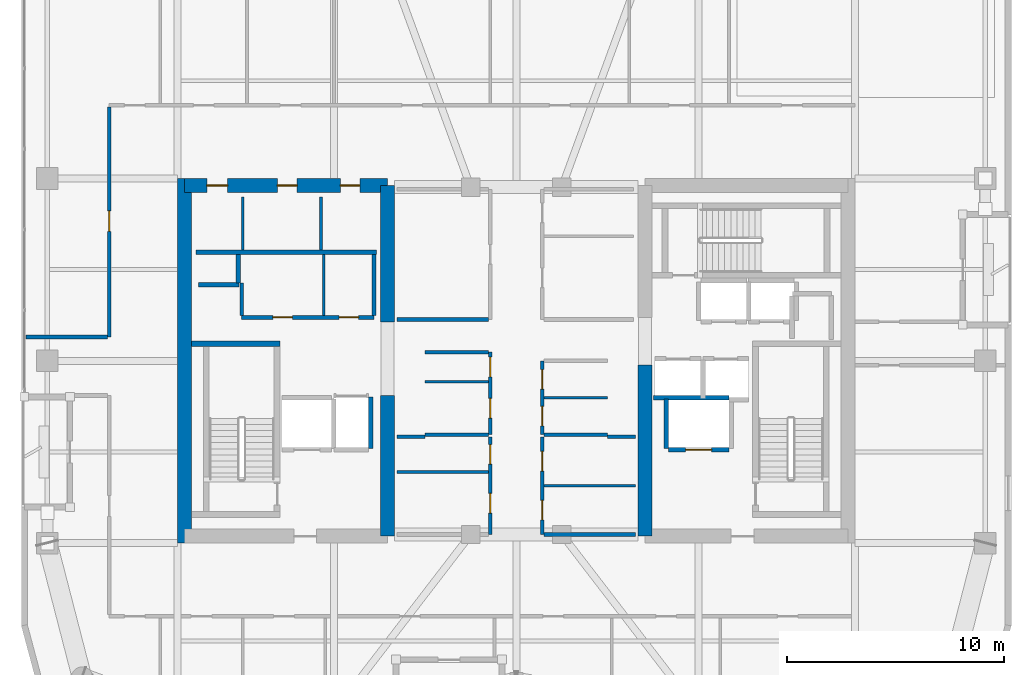
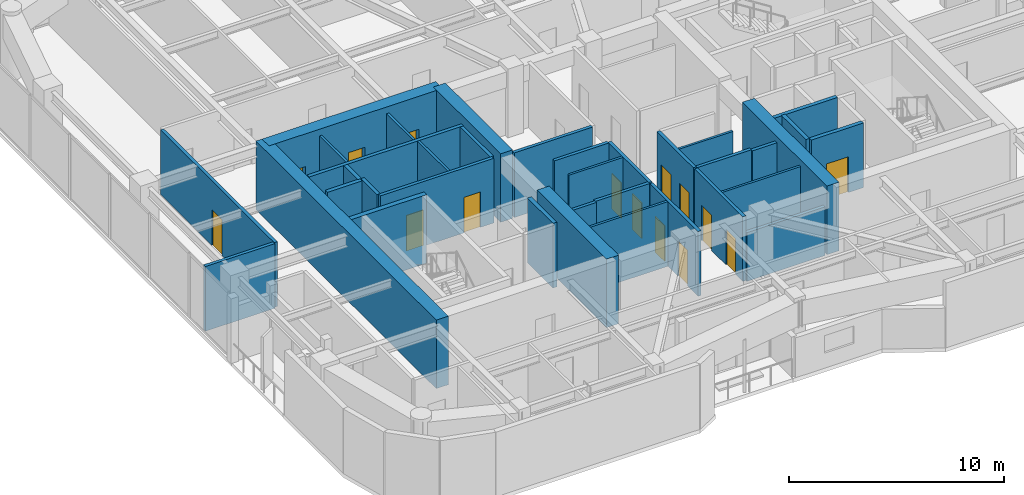
# One storey, part 16 of 22: 36 walls, 15 doors, 15 openings.
"""IFC4 building model written with IfcOpenShell, lengths in metres."""

from ifc_helpers import new_model, si_unit, direction, frame, frame_2d, origin, place, context, subcontext, project, spatial, rectangle, extrude, material, layer, layer_set, type_object, element, fill, save


model = new_model("IFC4")

# Units and contexts
model_context = context("Model", 3, precision=1e-05, world=origin(), true_north=direction((0.0, 1.0)))
body_context = subcontext(model_context, "Body", "Model", "MODEL_VIEW")
ifc_project = project(units=[si_unit("LENGTHUNIT", "METRE"), si_unit("AREAUNIT", "SQUARE_METRE"), si_unit("VOLUMEUNIT", "CUBIC_METRE"), si_unit("PLANEANGLEUNIT", "RADIAN"), si_unit("MASSUNIT", "GRAM", prefix="KILO")], contexts=[model_context])

# Site, building, storey
site_placement = place(None, origin())
site = spatial("IfcSite", under=ifc_project, at=site_placement, CompositionType="ELEMENT")
building_placement = place(site_placement, origin())
building = spatial("IfcBuilding", under=site, at=building_placement, Name="Kiyonajd Concourse Tower", CompositionType="ELEMENT")
storey_placement = place(building_placement, frame((0.0, 0.0, 243.300048828125)))
storey = spatial("IfcBuildingStorey", under=building, at=storey_placement, Name="L61", CompositionType="ELEMENT", Elevation=243.300048828125)

# Walls
ifc_material_1 = material(Name="Concrete C60/75", Category="concrete")
ifc_layer_1 = layer(ifc_material_1, 0.64990234375)
ifc_layer_set_1 = layer_set([ifc_layer_1], Name="Concrete C60/75")
wall_type_1 = type_object("IfcWallType", Name="WL-CORE-650", PredefinedType="SHEAR", material=ifc_layer_set_1)
wall_1_placement = place(storey_placement, frame((32.72509765625, 27.60009765625, 0.0), z_axis=(0.0, 0.0, 1.0), x_axis=(0.0, 1.0, 0.0)))
element("IfcWall", 1, at=wall_1_placement, inside=storey, type_object=wall_type_1, Name="L61 West Core Outer Shear Wall", PredefinedType="SHEAR", context=body_context, shape_type="SweptSolid", body=[
    extrude(rectangle(XDim=16.7998046875, YDim=0.64990234375, at=frame_2d((8.39990234375, 0.0))), origin(), (0.0, 0.0, 1.0), 3.89990234375),
])
wall_2_placement = place(storey_placement, frame((42.074951171875, 27.925048828125, 0.0), z_axis=(0.0, 0.0, 1.0), x_axis=(0.0, 1.0, 0.0)))
element("IfcWall", 2, at=wall_2_placement, inside=storey, type_object=wall_type_1, Name="L61 West Core Inner South Shear Wall", PredefinedType="SHEAR", context=body_context, shape_type="SweptSolid", body=[
    extrude(rectangle(XDim=6.474853515625, YDim=0.64990234375, at=frame_2d((3.2373046875, 0.0))), origin(), (0.0, 0.0, 1.0), 3.89990234375),
])
wall_3_placement = place(storey_placement, frame((42.074951171875, 37.800048828125, 0.0), z_axis=(0.0, 0.0, 1.0), x_axis=(0.0, 1.0, 0.0)))
element("IfcWall", 3, at=wall_3_placement, inside=storey, type_object=wall_type_1, Name="L61 West Core Inner North Shear Wall", PredefinedType="SHEAR", context=body_context, shape_type="SweptSolid", body=[
    extrude(rectangle(XDim=6.27490234375, YDim=0.64990234375, at=frame_2d((3.137451171875, 0.0))), origin(), (0.0, 0.0, 1.0), 3.89990234375),
])

# Wall, openings, doors
wall_4_placement = place(storey_placement, frame((32.72509765625, 44.074951171875, 0.0), z_axis=(0.0, 0.0, 1.0), x_axis=(1.0, 0.0, 0.0)))
wall_4 = element("IfcWall", 4, at=wall_4_placement, inside=storey, type_object=wall_type_1, Name="L61 West Core North Shear Wall", PredefinedType="SHEAR", context=body_context, shape_type="SweptSolid", body=[
    extrude(rectangle(XDim=9.349853515625, YDim=0.64990234375, at=frame_2d((4.6748046875, 0.0))), origin(), (0.0, 0.0, 1.0), 3.89990234375),
])
opening_1_placement = place(wall_4_placement, frame((1.02490234375, 0.0, 0.0)))
opening_1 = element("IfcOpeningElement", 5, at=opening_1_placement, cuts=wall_4, Name="Opening DI1", PredefinedType="OPENING", context=body_context, shape_type="SweptSolid", body=[
    extrude(rectangle(XDim=0.949951171875, YDim=2.0400390625, at=frame_2d((0.47509765625, 1.02001953125))), frame((0.0, 0.3349609375, 0.0), z_axis=(0.0, -1.0, 0.0), x_axis=(1.0, 0.0, 0.0)), (0.0, 0.0, 1.0), 0.669921875),
])
opening_2_placement = place(wall_4_placement, frame((4.27490234375, 0.0, 0.0)))
opening_2 = element("IfcOpeningElement", 6, at=opening_2_placement, cuts=wall_4, Name="Opening DI2", PredefinedType="OPENING", context=body_context, shape_type="SweptSolid", body=[
    extrude(rectangle(XDim=0.89990234375, YDim=2.02001953125, at=frame_2d((0.449951171875, 1.010009765625))), frame((0.0, 0.3349609375, 0.0), z_axis=(0.0, -1.0, 0.0), x_axis=(1.0, 0.0, 0.0)), (0.0, 0.0, 1.0), 0.669921875),
])
opening_3_placement = place(wall_4_placement, frame((7.175048828125, 0.0, 0.0)))
opening_3 = element("IfcOpeningElement", 7, at=opening_3_placement, cuts=wall_4, Name="Opening DI2", PredefinedType="OPENING", context=body_context, shape_type="SweptSolid", body=[
    extrude(rectangle(XDim=0.89990234375, YDim=2.02001953125, at=frame_2d((0.449951171875, 1.010009765625))), frame((0.0, 0.3349609375, 0.0), z_axis=(0.0, -1.0, 0.0), x_axis=(1.0, 0.0, 0.0)), (0.0, 0.0, 1.0), 0.669921875),
])
ifc_material_2 = material(Name="Natural Oak Acoustic Timber Veneer", Category="wood")
door_type_1 = type_object("IfcDoorType", Name="DR-INT-900", OperationType="NOTDEFINED", PredefinedType="DOOR", material=ifc_material_2)
door_1_placement = place(opening_2_placement, origin())
door_1 = element("IfcDoor", 8, at=door_1_placement, inside=storey, type_object=door_type_1, Name="L61 Male Restroom Door", OperationType="SINGLE_SWING_RIGHT", OverallHeight=2.02001953125, OverallWidth=0.89990234375, PredefinedType="DOOR", context=body_context, shape_type="SweptSolid", body=[
    extrude(rectangle(XDim=0.89990234375, YDim=2.02001953125, at=frame_2d((0.449951171875, 1.010009765625))), frame((0.0, 0.02490234375, 0.0), z_axis=(0.0, -1.0, 0.0), x_axis=(1.0, 0.0, 0.0)), (0.0, 0.0, 1.0), 0.050048828125),
])
fill(opening_2, door_1)
door_2_placement = place(opening_3_placement, origin())
door_2 = element("IfcDoor", 9, at=door_2_placement, inside=storey, type_object=door_type_1, Name="L61 Female Restroom Door", OperationType="SINGLE_SWING_LEFT", OverallHeight=2.02001953125, OverallWidth=0.89990234375, PredefinedType="DOOR", context=body_context, shape_type="SweptSolid", body=[
    extrude(rectangle(XDim=0.89990234375, YDim=2.02001953125, at=frame_2d((0.449951171875, 1.010009765625))), frame((0.0, 0.02490234375, 0.0), z_axis=(0.0, -1.0, 0.0), x_axis=(1.0, 0.0, 0.0)), (0.0, 0.0, 1.0), 0.050048828125),
])
fill(opening_3, door_2)
door_type_2 = type_object("IfcDoorType", Name="DR-INT-950", OperationType="NOTDEFINED", PredefinedType="DOOR", material=ifc_material_2)
door_3_placement = place(opening_1_placement, origin())
door_3 = element("IfcDoor", 10, at=door_3_placement, inside=storey, type_object=door_type_2, Name="L61 Single User Accessible WC Door", OperationType="SINGLE_SWING_LEFT", OverallHeight=2.0400390625, OverallWidth=0.949951171875, PredefinedType="DOOR", context=body_context, shape_type="SweptSolid", body=[
    extrude(rectangle(XDim=0.949951171875, YDim=2.0400390625, at=frame_2d((0.47509765625, 1.02001953125))), frame((0.0, 0.02490234375, 0.0), z_axis=(0.0, -1.0, 0.0), x_axis=(1.0, 0.0, 0.0)), (0.0, 0.0, 1.0), 0.050048828125),
])
fill(opening_1, door_3)

# Walls
wall_5_placement = place(storey_placement, frame((53.925048828125, 27.925048828125, 0.0), z_axis=(0.0, 0.0, 1.0), x_axis=(0.0, 1.0, 0.0)))
element("IfcWall", 11, at=wall_5_placement, inside=storey, type_object=wall_type_1, Name="L61 East Core Inner South Shear Wall", PredefinedType="SHEAR", context=body_context, shape_type="SweptSolid", body=[
    extrude(rectangle(XDim=7.875, YDim=0.64990234375, at=frame_2d((3.9375, 0.0))), origin(), (0.0, 0.0, 1.0), 3.89990234375),
])
ifc_material_3 = material(Name="Gypsum Board on Cold-Formed Steel Stud", Category="steel")
ifc_layer_2 = layer(ifc_material_3, 0.125)
ifc_layer_set_2 = layer_set([ifc_layer_2], Name="Gypsum Board on Cold-Formed Steel Stud")
wall_type_2 = type_object("IfcWallType", Name="WL-PART-125", PredefinedType="PARTITIONING", material=ifc_layer_set_2)
for number, where, z_axis, x_axis, name in (
    (12, (35.39990234375, 41.094970703125, 0.0), (0.0, 0.0, 1.0), (0.0, 1.0, 0.0), "L61 Interior Partition Wall"),
    (13, (39.0, 41.094970703125, 0.0), (0.0, 0.0, 1.0), (0.0, 1.0, 0.0), "L61 Interior Partition Wall"),
):
    element("IfcWall", number, at=place(storey_placement, frame(where, z_axis=z_axis, x_axis=x_axis)), inside=storey, type_object=wall_type_2, Name=name, PredefinedType="PARTITIONING", context=body_context, shape_type="SweptSolid", body=[
        extrude(rectangle(XDim=2.455078125, YDim=0.125, at=frame_2d((1.2275390625, 0.0))), origin(), (0.0, 0.0, 1.0), 3.679931640625),
    ])
wall_6_placement = place(storey_placement, frame((39.132080078125, 38.0869140625, 0.0), z_axis=(0.0, 0.0, 1.0), x_axis=(0.0, 1.0, 0.0)))
element("IfcWall", 14, at=wall_6_placement, inside=storey, type_object=wall_type_2, Name="L61 Interior Partition Wall", PredefinedType="PARTITIONING", context=body_context, shape_type="SweptSolid", body=[
    extrude(rectangle(XDim=2.81298828125, YDim=0.125, at=frame_2d((1.406494140625, 0.0))), origin(), (0.0, 0.0, 1.0), 3.679931640625),
])
for number, where, z_axis, x_axis, name in (
    (15, (43.800048828125, 35.031982421875, 0.0), (0.0, 0.0, 1.0), (1.0, 0.0, 0.0), "L61 Interior Partition Wall"),
    (16, (49.287109375, 34.300048828125, 0.0), (0.0, 0.0, 1.0), (1.0, 0.0, 0.0), "L61 Interior Partition Wall"),
):
    element("IfcWall", number, at=place(storey_placement, frame(where, z_axis=z_axis, x_axis=x_axis)), inside=storey, type_object=wall_type_2, Name=name, PredefinedType="PARTITIONING", context=body_context, shape_type="SweptSolid", body=[
        extrude(rectangle(XDim=2.912841796875, YDim=0.125, at=frame_2d((1.45654296875, 0.0))), origin(), (0.0, 0.0, 1.0), 3.679931640625),
    ])
for number, where, z_axis, x_axis, name in (
    (17, (42.5, 30.8798828125, 0.0), (0.0, 0.0, 1.0), (1.0, 0.0, 0.0), "L61 Interior Partition Wall"),
    (18, (49.287109375, 30.25, 0.0), (0.0, 0.0, 1.0), (1.0, 0.0, 0.0), "L61 Interior Partition Wall"),
):
    element("IfcWall", number, at=place(storey_placement, frame(where, z_axis=z_axis, x_axis=x_axis)), inside=storey, type_object=wall_type_2, Name=name, PredefinedType="PARTITIONING", context=body_context, shape_type="SweptSolid", body=[
        extrude(rectangle(XDim=4.212890625, YDim=0.125, at=frame_2d((2.1064453125, 0.0))), origin(), (0.0, 0.0, 1.0), 3.679931640625),
    ])
ifc_layer_3 = layer(ifc_material_3, 0.18994140625)
ifc_layer_set_3 = layer_set([ifc_layer_3], Name="Gypsum Board on Cold-Formed Steel Stud")
wall_type_3 = type_object("IfcWallType", Name="WL-PLMB-190", PredefinedType="PLUMBINGWALL", material=ifc_layer_set_3)
wall_7_placement = place(storey_placement, frame((33.25, 41.0, 0.0), z_axis=(0.0, 0.0, 1.0), x_axis=(1.0, 0.0, 0.0)))
element("IfcWall", 19, at=wall_7_placement, inside=storey, type_object=wall_type_3, Name="L61 Interior Partition Wall", PredefinedType="PLUMBINGWALL", context=body_context, shape_type="SweptSolid", body=[
    extrude(rectangle(XDim=8.300048828125, YDim=0.18994140625, at=frame_2d((4.14990234375, 0.0))), origin(), (0.0, 0.0, 1.0), 3.679931640625),
])
ifc_layer_4 = layer(ifc_material_3, 0.2099609375)
ifc_layer_set_4 = layer_set([ifc_layer_4], Name="Gypsum Board on Cold-Formed Steel Stud")
wall_type_4 = type_object("IfcWallType", Name="WL-SHAFT-210", PredefinedType="PARTITIONING", material=ifc_layer_set_4)
wall_8_placement = place(storey_placement, frame((33.360107421875, 39.5, 0.0), z_axis=(0.0, 0.0, 1.0), x_axis=(1.0, 0.0, 0.0)))
element("IfcWall", 20, at=wall_8_placement, inside=storey, type_object=wall_type_4, Name="L61 Shaft Enclosure Wall", PredefinedType="PARTITIONING", context=body_context, shape_type="SweptSolid", body=[
    extrude(rectangle(XDim=1.85986328125, YDim=0.2099609375, at=frame_2d((0.929931640625, 0.0))), origin(), (0.0, 0.0, 1.0), 3.679931640625),
])
wall_9_placement = place(storey_placement, frame((35.199951171875, 39.580078125, 0.0), z_axis=(0.0, 0.0, 1.0), x_axis=(0.0, 1.0, 0.0)))
element("IfcWall", 21, at=wall_9_placement, inside=storey, type_object=wall_type_4, Name="L61 Shaft Enclosure Wall", PredefinedType="PARTITIONING", context=body_context, shape_type="SweptSolid", body=[
    extrude(rectangle(XDim=1.31982421875, YDim=0.2099609375, at=frame_2d((0.659912109375, 0.0))), origin(), (0.0, 0.0, 1.0), 3.679931640625),
])

# Wall, opening, door
wall_10_placement = place(storey_placement, frame((55.0, 31.89990234375, 0.0), z_axis=(0.0, 0.0, 1.0), x_axis=(1.0, 0.0, 0.0)))
wall_10 = element("IfcWall", 22, at=wall_10_placement, inside=storey, type_object=wall_type_4, Name="L61 Shaft Enclosure Wall", PredefinedType="PARTITIONING", context=body_context, shape_type="SweptSolid", body=[
    extrude(rectangle(XDim=2.800048828125, YDim=0.2099609375, at=frame_2d((1.39990234375, 0.0))), origin(), (0.0, 0.0, 1.0), 3.679931640625),
])
opening_4_placement = place(wall_10_placement, frame((0.800048828125, 0.0, 0.0)))
opening_4 = element("IfcOpeningElement", 23, at=opening_4_placement, cuts=wall_10, Name="Opening LD2", PredefinedType="OPENING", context=body_context, shape_type="SweptSolid", body=[
    extrude(rectangle(XDim=1.199951171875, YDim=2.0400390625, at=frame_2d((0.60009765625, 1.02001953125))), frame((0.0, 0.114990234375, 0.0), z_axis=(0.0, -1.0, 0.0), x_axis=(1.0, 0.0, 0.0)), (0.0, 0.0, 1.0), 0.22998046875),
])
ifc_material_4 = material(Name="Brushed Stainless Steel Cab Assembly", Category="steel")
door_type_3 = type_object("IfcDoorType", Name="DR-LD-1200", OperationType="DOUBLE_DOOR_SLIDING", PredefinedType="DOOR", material=ifc_material_4)
door_4_placement = place(opening_4_placement, origin())
door_4 = element("IfcDoor", 24, at=door_4_placement, inside=storey, type_object=door_type_3, Name="L61 Lift FFL2 Sliding Landing Door", OperationType="DOUBLE_DOOR_SLIDING", OverallHeight=2.0400390625, OverallWidth=1.199951171875, PredefinedType="DOOR", context=body_context, shape_type="SweptSolid", body=[
    extrude(rectangle(XDim=1.199951171875, YDim=2.0400390625, at=frame_2d((0.60009765625, 1.02001953125))), frame((0.0, 0.02490234375, 0.0), z_axis=(0.0, -1.0, 0.0), x_axis=(1.0, 0.0, 0.0)), (0.0, 0.0, 1.0), 0.050048828125),
])
fill(opening_4, door_4)

# Walls
wall_11_placement = place(storey_placement, frame((54.320068359375, 34.300048828125, 0.0), z_axis=(0.0, 0.0, 1.0), x_axis=(1.0, 0.0, 0.0)))
element("IfcWall", 25, at=wall_11_placement, inside=storey, type_object=wall_type_4, Name="L61 Shaft Enclosure Wall", PredefinedType="PARTITIONING", context=body_context, shape_type="SweptSolid", body=[
    extrude(rectangle(XDim=3.47998046875, YDim=0.2099609375, at=frame_2d((1.739990234375, 0.0))), origin(), (0.0, 0.0, 1.0), 3.679931640625),
])
wall_12_placement = place(storey_placement, frame((54.89990234375, 31.9599609375, 0.0), z_axis=(0.0, 0.0, 1.0), x_axis=(0.0, 1.0, 0.0)))
element("IfcWall", 26, at=wall_12_placement, inside=storey, type_object=wall_type_4, Name="L61 Shaft Enclosure Wall", PredefinedType="PARTITIONING", context=body_context, shape_type="SweptSolid", body=[
    extrude(rectangle(XDim=2.280029296875, YDim=0.2099609375, at=frame_2d((1.14013671875, 0.0))), origin(), (0.0, 0.0, 1.0), 3.679931640625),
])
wall_13_placement = place(storey_placement, frame((41.300048828125, 31.9599609375, 0.0), z_axis=(0.0, 0.0, 1.0), x_axis=(0.0, 1.0, 0.0)))
element("IfcWall", 27, at=wall_13_placement, inside=storey, type_object=wall_type_4, Name="L61 Shaft Enclosure Wall", PredefinedType="PARTITIONING", context=body_context, shape_type="SweptSolid", body=[
    extrude(rectangle(XDim=2.380126953125, YDim=0.2099609375, at=frame_2d((1.18994140625, 0.0))), origin(), (0.0, 0.0, 1.0), 3.679931640625),
])

# Wall, openings, doors
ifc_layer_5 = layer(ifc_material_3, 0.169921875)
ifc_layer_set_5 = layer_set([ifc_layer_5], Name="Gypsum Board on Cold-Formed Steel Stud")
wall_type_5 = type_object("IfcWallType", Name="WL-SMK-170", PredefinedType="PARTITIONING", material=ifc_layer_set_5)
wall_14_placement = place(storey_placement, frame((35.35009765625, 38.0, 0.0), z_axis=(0.0, 0.0, 1.0), x_axis=(1.0, 0.0, 0.0)))
wall_14 = element("IfcWall", 28, at=wall_14_placement, inside=storey, type_object=wall_type_5, Name="L61 Interior Partition Wall", PredefinedType="PARTITIONING", context=body_context, shape_type="SweptSolid", body=[
    extrude(rectangle(XDim=6.099853515625, YDim=0.169921875, at=frame_2d((3.0498046875, 0.0))), origin(), (0.0, 0.0, 1.0), 3.679931640625),
])
opening_5_placement = place(wall_14_placement, frame((1.44091796875, 0.0, 0.0)))
opening_5 = element("IfcOpeningElement", 29, at=opening_5_placement, cuts=wall_14, Name="Opening DF4", PredefinedType="OPENING", context=body_context, shape_type="SweptSolid", body=[
    extrude(rectangle(XDim=0.89990234375, YDim=2.02001953125, at=frame_2d((0.449951171875, 1.010009765625))), frame((0.0, 0.094970703125, 0.0), z_axis=(0.0, -1.0, 0.0), x_axis=(1.0, 0.0, 0.0)), (0.0, 0.0, 1.0), 0.18994140625),
])
opening_6_placement = place(wall_14_placement, frame((4.490966796875, 0.0, 0.0)))
opening_6 = element("IfcOpeningElement", 30, at=opening_6_placement, cuts=wall_14, Name="Opening DF4", PredefinedType="OPENING", context=body_context, shape_type="SweptSolid", body=[
    extrude(rectangle(XDim=0.89990234375, YDim=2.02001953125, at=frame_2d((0.449951171875, 1.010009765625))), frame((0.0, 0.094970703125, 0.0), z_axis=(0.0, -1.0, 0.0), x_axis=(1.0, 0.0, 0.0)), (0.0, 0.0, 1.0), 0.18994140625),
])
door_type_4 = type_object("IfcDoorType", Name="DR-FD60-900", OperationType="NOTDEFINED", PredefinedType="DOOR", material=ifc_material_4)
door_5_placement = place(opening_5_placement, origin())
door_5 = element("IfcDoor", 31, at=door_5_placement, inside=storey, type_object=door_type_4, Name="L61 Interior Door", OperationType="SINGLE_SWING_RIGHT", OverallHeight=2.02001953125, OverallWidth=0.89990234375, PredefinedType="DOOR", context=body_context, shape_type="SweptSolid", body=[
    extrude(rectangle(XDim=0.89990234375, YDim=2.02001953125, at=frame_2d((0.449951171875, 1.010009765625))), frame((0.0, 0.02490234375, 0.0), z_axis=(0.0, -1.0, 0.0), x_axis=(1.0, 0.0, 0.0)), (0.0, 0.0, 1.0), 0.050048828125),
])
fill(opening_5, door_5)
door_6_placement = place(opening_6_placement, origin())
door_6 = element("IfcDoor", 32, at=door_6_placement, inside=storey, type_object=door_type_4, Name="L61 Interior Door", OperationType="SINGLE_SWING_LEFT", OverallHeight=2.02001953125, OverallWidth=0.89990234375, PredefinedType="DOOR", context=body_context, shape_type="SweptSolid", body=[
    extrude(rectangle(XDim=0.89990234375, YDim=2.02001953125, at=frame_2d((0.449951171875, 1.010009765625))), frame((0.0, 0.02490234375, 0.0), z_axis=(0.0, -1.0, 0.0), x_axis=(1.0, 0.0, 0.0)), (0.0, 0.0, 1.0), 0.050048828125),
])
fill(opening_6, door_6)

# Walls
wall_15_placement = place(storey_placement, frame((35.35009765625, 38.0869140625, 0.0), z_axis=(0.0, 0.0, 1.0), x_axis=(0.0, 1.0, 0.0)))
element("IfcWall", 33, at=wall_15_placement, inside=storey, type_object=wall_type_5, Name="L61 Interior Partition Wall", PredefinedType="PARTITIONING", context=body_context, shape_type="SweptSolid", body=[
    extrude(rectangle(XDim=1.4931640625, YDim=0.169921875, at=frame_2d((0.74658203125, 0.0))), origin(), (0.0, 0.0, 1.0), 3.679931640625),
])
wall_16_placement = place(storey_placement, frame((41.449951171875, 38.0869140625, 0.0), z_axis=(0.0, 0.0, 1.0), x_axis=(0.0, 1.0, 0.0)))
element("IfcWall", 34, at=wall_16_placement, inside=storey, type_object=wall_type_5, Name="L61 Interior Partition Wall", PredefinedType="PARTITIONING", context=body_context, shape_type="SweptSolid", body=[
    extrude(rectangle(XDim=2.81298828125, YDim=0.169921875, at=frame_2d((1.406494140625, 0.0))), origin(), (0.0, 0.0, 1.0), 3.679931640625),
])

# Wall, openings, doors
wall_17_placement = place(storey_placement, frame((46.800048828125, 32.60009765625, 0.0), z_axis=(0.0, 0.0, 1.0), x_axis=(0.0, 1.0, 0.0)))
wall_17 = element("IfcWall", 35, at=wall_17_placement, inside=storey, type_object=wall_type_5, Name="L61 Interior Partition Wall", PredefinedType="PARTITIONING", context=body_context, shape_type="SweptSolid", body=[
    extrude(rectangle(XDim=3.7998046875, YDim=0.169921875, at=frame_2d((1.89990234375, 0.0))), origin(), (0.0, 0.0, 1.0), 3.679931640625),
])
opening_7_placement = place(wall_17_placement, frame((0.76611328125, 0.0, 0.0)))
opening_7 = element("IfcOpeningElement", 36, at=opening_7_placement, cuts=wall_17, Name="Opening DF4", PredefinedType="OPENING", context=body_context, shape_type="SweptSolid", body=[
    extrude(rectangle(XDim=0.89990234375, YDim=2.02001953125, at=frame_2d((0.449951171875, 1.010009765625))), frame((0.0, 0.094970703125, 0.0), z_axis=(0.0, -1.0, 0.0), x_axis=(1.0, 0.0, 0.0)), (0.0, 0.0, 1.0), 0.18994140625),
])
opening_8_placement = place(wall_17_placement, frame((2.666015625, 0.0, 0.0)))
opening_8 = element("IfcOpeningElement", 37, at=opening_8_placement, cuts=wall_17, Name="Opening DF4", PredefinedType="OPENING", context=body_context, shape_type="SweptSolid", body=[
    extrude(rectangle(XDim=0.89990234375, YDim=2.02001953125, at=frame_2d((0.449951171875, 1.010009765625))), frame((0.0, 0.094970703125, 0.0), z_axis=(0.0, -1.0, 0.0), x_axis=(1.0, 0.0, 0.0)), (0.0, 0.0, 1.0), 0.18994140625),
])
door_7_placement = place(opening_7_placement, origin())
door_7 = element("IfcDoor", 38, at=door_7_placement, inside=storey, type_object=door_type_4, Name="L61 Interior Door", OperationType="SINGLE_SWING_RIGHT", OverallHeight=2.02001953125, OverallWidth=0.89990234375, PredefinedType="DOOR", context=body_context, shape_type="SweptSolid", body=[
    extrude(rectangle(XDim=0.89990234375, YDim=2.02001953125, at=frame_2d((0.449951171875, 1.010009765625))), frame((0.0, 0.02490234375, 0.0), z_axis=(0.0, -1.0, 0.0), x_axis=(1.0, 0.0, 0.0)), (0.0, 0.0, 1.0), 0.050048828125),
])
fill(opening_7, door_7)
door_8_placement = place(opening_8_placement, origin())
door_8 = element("IfcDoor", 39, at=door_8_placement, inside=storey, type_object=door_type_4, Name="L61 Interior Door", OperationType="SINGLE_SWING_LEFT", OverallHeight=2.02001953125, OverallWidth=0.89990234375, PredefinedType="DOOR", context=body_context, shape_type="SweptSolid", body=[
    extrude(rectangle(XDim=0.89990234375, YDim=2.02001953125, at=frame_2d((0.449951171875, 1.010009765625))), frame((0.0, 0.02490234375, 0.0), z_axis=(0.0, -1.0, 0.0), x_axis=(1.0, 0.0, 0.0)), (0.0, 0.0, 1.0), 0.050048828125),
])
fill(opening_8, door_8)

# Walls
for number, where, z_axis, x_axis, name in (
    (40, (43.800048828125, 32.60009765625, 0.0), (0.0, 0.0, 1.0), (1.0, 0.0, 0.0), "L61 Interior Partition Wall"),
    (41, (43.800048828125, 36.39990234375, 0.0), (0.0, 0.0, 1.0), (1.0, 0.0, 0.0), "L61 Interior Partition Wall"),
):
    element("IfcWall", number, at=place(storey_placement, frame(where, z_axis=z_axis, x_axis=x_axis)), inside=storey, type_object=wall_type_5, Name=name, PredefinedType="PARTITIONING", context=body_context, shape_type="SweptSolid", body=[
        extrude(rectangle(XDim=2.912841796875, YDim=0.169921875, at=frame_2d((1.45654296875, 0.0))), origin(), (0.0, 0.0, 1.0), 3.679931640625),
    ])

# Wall, openings, doors
wall_18_placement = place(storey_placement, frame((49.199951171875, 32.60009765625, 0.0), z_axis=(0.0, 0.0, 1.0), x_axis=(0.0, 1.0, 0.0)))
wall_18 = element("IfcWall", 42, at=wall_18_placement, inside=storey, type_object=wall_type_5, Name="L61 Interior Partition Wall", PredefinedType="PARTITIONING", context=body_context, shape_type="SweptSolid", body=[
    extrude(rectangle(XDim=3.39990234375, YDim=0.169921875, at=frame_2d((1.699951171875, 0.0))), origin(), (0.0, 0.0, 1.0), 3.679931640625),
])
opening_9_placement = place(wall_18_placement, frame((0.39990234375, 0.0, 0.0)))
opening_9 = element("IfcOpeningElement", 43, at=opening_9_placement, cuts=wall_18, Name="Opening DI2", PredefinedType="OPENING", context=body_context, shape_type="SweptSolid", body=[
    extrude(rectangle(XDim=0.89990234375, YDim=2.02001953125, at=frame_2d((0.449951171875, 1.010009765625))), frame((0.0, 0.094970703125, 0.0), z_axis=(0.0, -1.0, 0.0), x_axis=(1.0, 0.0, 0.0)), (0.0, 0.0, 1.0), 0.18994140625),
])
opening_10_placement = place(wall_18_placement, frame((2.10009765625, 0.0, 0.0)))
opening_10 = element("IfcOpeningElement", 44, at=opening_10_placement, cuts=wall_18, Name="Opening DI2", PredefinedType="OPENING", context=body_context, shape_type="SweptSolid", body=[
    extrude(rectangle(XDim=0.89990234375, YDim=2.02001953125, at=frame_2d((0.449951171875, 1.010009765625))), frame((0.0, 0.094970703125, 0.0), z_axis=(0.0, -1.0, 0.0), x_axis=(1.0, 0.0, 0.0)), (0.0, 0.0, 1.0), 0.18994140625),
])
door_9_placement = place(opening_9_placement, origin())
door_9 = element("IfcDoor", 45, at=door_9_placement, inside=storey, type_object=door_type_1, Name="L61 Interior Door", OperationType="SINGLE_SWING_RIGHT", OverallHeight=2.02001953125, OverallWidth=0.89990234375, PredefinedType="DOOR", context=body_context, shape_type="SweptSolid", body=[
    extrude(rectangle(XDim=0.89990234375, YDim=2.02001953125, at=frame_2d((0.449951171875, 1.010009765625))), frame((0.0, 0.02490234375, 0.0), z_axis=(0.0, -1.0, 0.0), x_axis=(1.0, 0.0, 0.0)), (0.0, 0.0, 1.0), 0.050048828125),
])
fill(opening_9, door_9)
door_10_placement = place(opening_10_placement, origin())
door_10 = element("IfcDoor", 46, at=door_10_placement, inside=storey, type_object=door_type_1, Name="L61 Interior Door", OperationType="SINGLE_SWING_LEFT", OverallHeight=2.02001953125, OverallWidth=0.89990234375, PredefinedType="DOOR", context=body_context, shape_type="SweptSolid", body=[
    extrude(rectangle(XDim=0.89990234375, YDim=2.02001953125, at=frame_2d((0.449951171875, 1.010009765625))), frame((0.0, 0.02490234375, 0.0), z_axis=(0.0, -1.0, 0.0), x_axis=(1.0, 0.0, 0.0)), (0.0, 0.0, 1.0), 0.050048828125),
])
fill(opening_10, door_10)

# Wall
wall_19_placement = place(storey_placement, frame((49.287109375, 32.60009765625, 0.0), z_axis=(0.0, 0.0, 1.0), x_axis=(1.0, 0.0, 0.0)))
element("IfcWall", 47, at=wall_19_placement, inside=storey, type_object=wall_type_5, Name="L61 Interior Partition Wall", PredefinedType="PARTITIONING", context=body_context, shape_type="SweptSolid", body=[
    extrude(rectangle(XDim=2.912841796875, YDim=0.169921875, at=frame_2d((1.45654296875, 0.0))), origin(), (0.0, 0.0, 1.0), 3.679931640625),
])

# Wall, openings, doors
wall_20_placement = place(storey_placement, frame((46.800048828125, 28.0, 0.0), z_axis=(0.0, 0.0, 1.0), x_axis=(0.0, 1.0, 0.0)))
wall_20 = element("IfcWall", 48, at=wall_20_placement, inside=storey, type_object=wall_type_5, Name="L61 Interior Partition Wall", PredefinedType="PARTITIONING", context=body_context, shape_type="SweptSolid", body=[
    extrude(rectangle(XDim=4.5, YDim=0.169921875, at=frame_2d((2.25, 0.0))), origin(), (0.0, 0.0, 1.0), 3.679931640625),
])
opening_11_placement = place(wall_20_placement, frame((0.989990234375, 0.0, 0.0)))
opening_11 = element("IfcOpeningElement", 49, at=opening_11_placement, cuts=wall_20, Name="Opening DF4", PredefinedType="OPENING", context=body_context, shape_type="SweptSolid", body=[
    extrude(rectangle(XDim=0.89990234375, YDim=2.02001953125, at=frame_2d((0.449951171875, 1.010009765625))), frame((0.0, 0.094970703125, 0.0), z_axis=(0.0, -1.0, 0.0), x_axis=(1.0, 0.0, 0.0)), (0.0, 0.0, 1.0), 0.18994140625),
])
opening_12_placement = place(wall_20_placement, frame((3.239990234375, 0.0, 0.0)))
opening_12 = element("IfcOpeningElement", 50, at=opening_12_placement, cuts=wall_20, Name="Opening DF4", PredefinedType="OPENING", context=body_context, shape_type="SweptSolid", body=[
    extrude(rectangle(XDim=0.89990234375, YDim=2.02001953125, at=frame_2d((0.449951171875, 1.010009765625))), frame((0.0, 0.094970703125, 0.0), z_axis=(0.0, -1.0, 0.0), x_axis=(1.0, 0.0, 0.0)), (0.0, 0.0, 1.0), 0.18994140625),
])
door_11_placement = place(opening_11_placement, origin())
door_11 = element("IfcDoor", 51, at=door_11_placement, inside=storey, type_object=door_type_4, Name="L61 Interior Door", OperationType="SINGLE_SWING_RIGHT", OverallHeight=2.02001953125, OverallWidth=0.89990234375, PredefinedType="DOOR", context=body_context, shape_type="SweptSolid", body=[
    extrude(rectangle(XDim=0.89990234375, YDim=2.02001953125, at=frame_2d((0.449951171875, 1.010009765625))), frame((0.0, 0.02490234375, 0.0), z_axis=(0.0, -1.0, 0.0), x_axis=(1.0, 0.0, 0.0)), (0.0, 0.0, 1.0), 0.050048828125),
])
fill(opening_11, door_11)
door_12_placement = place(opening_12_placement, origin())
door_12 = element("IfcDoor", 52, at=door_12_placement, inside=storey, type_object=door_type_4, Name="L61 Interior Door", OperationType="SINGLE_SWING_LEFT", OverallHeight=2.02001953125, OverallWidth=0.89990234375, PredefinedType="DOOR", context=body_context, shape_type="SweptSolid", body=[
    extrude(rectangle(XDim=0.89990234375, YDim=2.02001953125, at=frame_2d((0.449951171875, 1.010009765625))), frame((0.0, 0.02490234375, 0.0), z_axis=(0.0, -1.0, 0.0), x_axis=(1.0, 0.0, 0.0)), (0.0, 0.0, 1.0), 0.050048828125),
])
fill(opening_12, door_12)

# Wall
wall_21_placement = place(storey_placement, frame((42.5, 32.5, 0.0), z_axis=(0.0, 0.0, 1.0), x_axis=(1.0, 0.0, 0.0)))
element("IfcWall", 53, at=wall_21_placement, inside=storey, type_object=wall_type_5, Name="L61 Interior Partition Wall", PredefinedType="PARTITIONING", context=body_context, shape_type="SweptSolid", body=[
    extrude(rectangle(XDim=1.300048828125, YDim=0.169921875, at=frame_2d((0.64990234375, 0.0))), origin(), (0.0, 0.0, 1.0), 3.679931640625),
])

# Wall, openings, doors
wall_22_placement = place(storey_placement, frame((49.199951171875, 28.0, 0.0), z_axis=(0.0, 0.0, 1.0), x_axis=(0.0, 1.0, 0.0)))
wall_22 = element("IfcWall", 54, at=wall_22_placement, inside=storey, type_object=wall_type_5, Name="L61 Interior Partition Wall", PredefinedType="PARTITIONING", context=body_context, shape_type="SweptSolid", body=[
    extrude(rectangle(XDim=4.5, YDim=0.169921875, at=frame_2d((2.25, 0.0))), origin(), (0.0, 0.0, 1.0), 3.679931640625),
])
opening_13_placement = place(wall_22_placement, frame((0.675048828125, 0.0, 0.0)))
opening_13 = element("IfcOpeningElement", 55, at=opening_13_placement, cuts=wall_22, Name="Opening DI2", PredefinedType="OPENING", context=body_context, shape_type="SweptSolid", body=[
    extrude(rectangle(XDim=0.89990234375, YDim=2.02001953125, at=frame_2d((0.449951171875, 1.010009765625))), frame((0.0, 0.094970703125, 0.0), z_axis=(0.0, -1.0, 0.0), x_axis=(1.0, 0.0, 0.0)), (0.0, 0.0, 1.0), 0.18994140625),
])
opening_14_placement = place(wall_22_placement, frame((2.925048828125, 0.0, 0.0)))
opening_14 = element("IfcOpeningElement", 56, at=opening_14_placement, cuts=wall_22, Name="Opening DI2", PredefinedType="OPENING", context=body_context, shape_type="SweptSolid", body=[
    extrude(rectangle(XDim=0.89990234375, YDim=2.02001953125, at=frame_2d((0.449951171875, 1.010009765625))), frame((0.0, 0.094970703125, 0.0), z_axis=(0.0, -1.0, 0.0), x_axis=(1.0, 0.0, 0.0)), (0.0, 0.0, 1.0), 0.18994140625),
])
door_13_placement = place(opening_13_placement, origin())
door_13 = element("IfcDoor", 57, at=door_13_placement, inside=storey, type_object=door_type_1, Name="L61 Interior Door", OperationType="SINGLE_SWING_RIGHT", OverallHeight=2.02001953125, OverallWidth=0.89990234375, PredefinedType="DOOR", context=body_context, shape_type="SweptSolid", body=[
    extrude(rectangle(XDim=0.89990234375, YDim=2.02001953125, at=frame_2d((0.449951171875, 1.010009765625))), frame((0.0, 0.02490234375, 0.0), z_axis=(0.0, -1.0, 0.0), x_axis=(1.0, 0.0, 0.0)), (0.0, 0.0, 1.0), 0.050048828125),
])
fill(opening_13, door_13)
door_14_placement = place(opening_14_placement, origin())
door_14 = element("IfcDoor", 58, at=door_14_placement, inside=storey, type_object=door_type_1, Name="L61 Interior Door", OperationType="SINGLE_SWING_LEFT", OverallHeight=2.02001953125, OverallWidth=0.89990234375, PredefinedType="DOOR", context=body_context, shape_type="SweptSolid", body=[
    extrude(rectangle(XDim=0.89990234375, YDim=2.02001953125, at=frame_2d((0.449951171875, 1.010009765625))), frame((0.0, 0.02490234375, 0.0), z_axis=(0.0, -1.0, 0.0), x_axis=(1.0, 0.0, 0.0)), (0.0, 0.0, 1.0), 0.050048828125),
])
fill(opening_14, door_14)

# Walls
wall_23_placement = place(storey_placement, frame((49.287109375, 28.0, 0.0), z_axis=(0.0, 0.0, 1.0), x_axis=(1.0, 0.0, 0.0)))
element("IfcWall", 59, at=wall_23_placement, inside=storey, type_object=wall_type_5, Name="L61 Interior Partition Wall", PredefinedType="PARTITIONING", context=body_context, shape_type="SweptSolid", body=[
    extrude(rectangle(XDim=4.212890625, YDim=0.169921875, at=frame_2d((2.1064453125, 0.0))), origin(), (0.0, 0.0, 1.0), 2.764892578125),
])
wall_24_placement = place(storey_placement, frame((52.199951171875, 32.5, 0.0), z_axis=(0.0, 0.0, 1.0), x_axis=(1.0, 0.0, 0.0)))
element("IfcWall", 60, at=wall_24_placement, inside=storey, type_object=wall_type_5, Name="L61 Interior Partition Wall", PredefinedType="PARTITIONING", context=body_context, shape_type="SweptSolid", body=[
    extrude(rectangle(XDim=1.300048828125, YDim=0.169921875, at=frame_2d((0.64990234375, 0.0))), origin(), (0.0, 0.0, 1.0), 3.679931640625),
])
wall_25_placement = place(storey_placement, frame((42.5, 37.89990234375, 0.0), z_axis=(0.0, 0.0, 1.0), x_axis=(1.0, 0.0, 0.0)))
element("IfcWall", 61, at=wall_25_placement, inside=storey, type_object=wall_type_5, Name="L61 Interior Partition Wall", PredefinedType="PARTITIONING", context=body_context, shape_type="SweptSolid", body=[
    extrude(rectangle(XDim=4.212890625, YDim=0.169921875, at=frame_2d((2.1064453125, 0.0))), origin(), (0.0, 0.0, 1.0), 3.679931640625),
])

# Wall, opening, door
wall_26_placement = place(storey_placement, frame((29.25, 37.10009765625, 0.0), z_axis=(0.0, 0.0, 1.0), x_axis=(0.0, 1.0, 0.0)))
wall_26 = element("IfcWall", 62, at=wall_26_placement, inside=storey, type_object=wall_type_5, Name="L61 Interior Partition Wall", PredefinedType="PARTITIONING", context=body_context, shape_type="SweptSolid", body=[
    extrude(rectangle(XDim=10.5830078125, YDim=0.169921875, at=frame_2d((5.29150390625, 0.0))), origin(), (0.0, 0.0, 1.0), 3.679931640625),
])
opening_15_placement = place(wall_26_placement, frame((4.860107421875, 0.0, 0.0)))
opening_15 = element("IfcOpeningElement", 63, at=opening_15_placement, cuts=wall_26, Name="Opening DI1", PredefinedType="OPENING", context=body_context, shape_type="SweptSolid", body=[
    extrude(rectangle(XDim=0.949951171875, YDim=2.0400390625, at=frame_2d((0.47509765625, 1.02001953125))), frame((0.0, 0.094970703125, 0.0), z_axis=(0.0, -1.0, 0.0), x_axis=(1.0, 0.0, 0.0)), (0.0, 0.0, 1.0), 0.18994140625),
])
door_15_placement = place(opening_15_placement, origin())
door_15 = element("IfcDoor", 64, at=door_15_placement, inside=storey, type_object=door_type_2, Name="L61 Interior Door", OperationType="SINGLE_SWING_LEFT", OverallHeight=2.0400390625, OverallWidth=0.949951171875, PredefinedType="DOOR", context=body_context, shape_type="SweptSolid", body=[
    extrude(rectangle(XDim=0.949951171875, YDim=2.0400390625, at=frame_2d((0.47509765625, 1.02001953125))), frame((0.0, 0.02490234375, 0.0), z_axis=(0.0, -1.0, 0.0), x_axis=(1.0, 0.0, 0.0)), (0.0, 0.0, 1.0), 0.050048828125),
])
fill(opening_15, door_15)

# Walls
wall_27_placement = place(storey_placement, frame((25.425048828125, 37.10009765625, 0.0), z_axis=(0.0, 0.0, 1.0), x_axis=(1.0, 0.0, 0.0)))
element("IfcWall", 65, at=wall_27_placement, inside=storey, type_object=wall_type_5, Name="L61 Interior Partition Wall", PredefinedType="PARTITIONING", context=body_context, shape_type="SweptSolid", body=[
    extrude(rectangle(XDim=3.738037109375, YDim=0.169921875, at=frame_2d((1.869140625, 0.0))), origin(), (0.0, 0.0, 1.0), 3.679931640625),
])
ifc_material_5 = material(Name="Concrete C50/60", Category="concrete")
ifc_layer_6 = layer(ifc_material_5, 0.260009765625)
ifc_layer_set_6 = layer_set([ifc_layer_6], Name="Concrete C50/60")
wall_type_6 = type_object("IfcWallType", Name="WL-STAIR-260", PredefinedType="SHEAR", material=ifc_layer_set_6)
wall_28_placement = place(storey_placement, frame((33.050048828125, 36.780029296875, 0.0), z_axis=(0.0, 0.0, 1.0), x_axis=(1.0, 0.0, 0.0)))
element("IfcWall", 66, at=wall_28_placement, inside=storey, type_object=wall_type_6, Name="L61 Stair ST1 Structural North Wall", PredefinedType="SHEAR", context=body_context, shape_type="SweptSolid", body=[
    extrude(rectangle(XDim=4.06005859375, YDim=0.260009765625, at=frame_2d((2.030029296875, 0.0))), origin(), (0.0, 0.0, 1.0), 3.89990234375),
])

save(model, "model.ifc")
